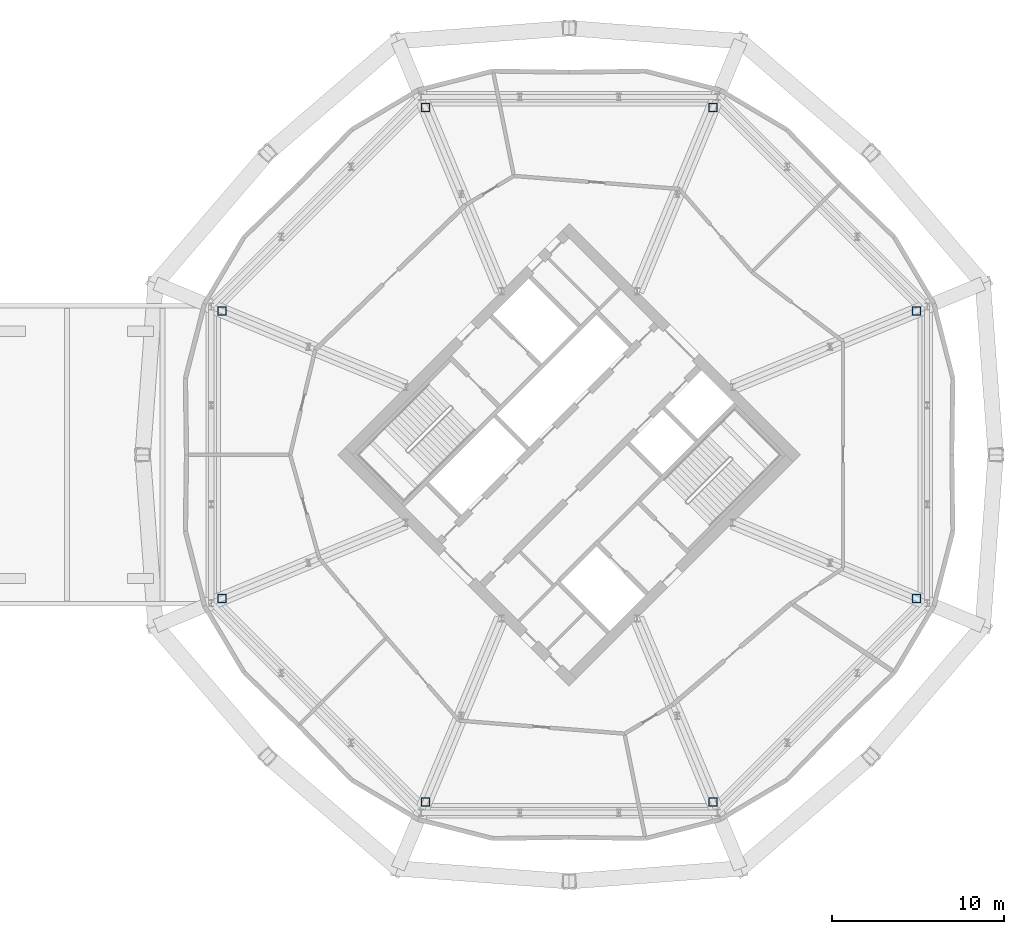
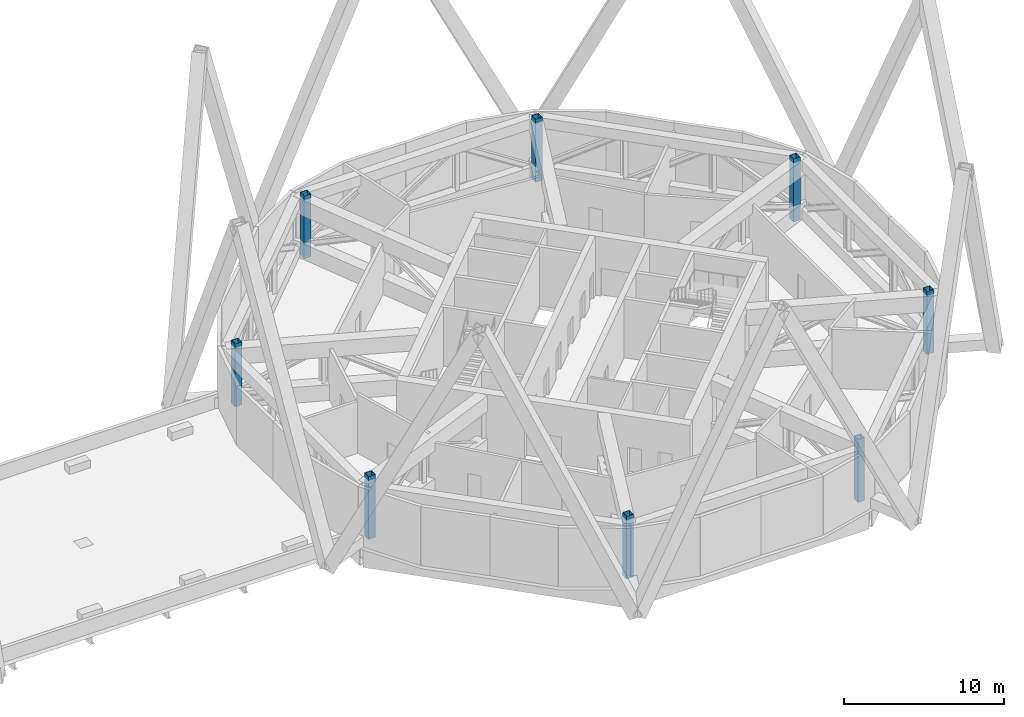
# One storey, part 2 of 20: 8 columns.
"""IFC4 building model written with IfcOpenShell, lengths in metres."""

import ifcopenshell
import ifcopenshell.guid

model = None  # the IFC model being written
_history = None  # IfcOwnerHistory: only IFC2X3 demands one
_inside = {}  # id of a spatial element -> (the spatial element, [elements in it])
_under = {}  # id of a project, library or spatial element -> (it, [spatial elements below it])
_declared = {}  # id of a project -> (the project, [libraries it declares])
_typed = {}  # id of a type object -> (the type object, [elements of that type])
_made_of = {}  # id of a material, layer set ... -> (it, [elements and type objects made of it])


def new_model(schema):
    """Start an empty IFC model of exactly this schema.

    Asked for "IFC4X3", IfcOpenShell would pick the latest addendum, in which some entities
    have other attributes; the version numbers below select the first issue.
    IFC2X3 requires an IfcOwnerHistory on every rooted entity: one is made here for all.
    """
    global model, _history
    if schema == "IFC4X3":
        model = ifcopenshell.file(schema_version=(4, 3, 0, 0))
    else:
        model = ifcopenshell.file(schema=schema)
    _inside.clear()
    _under.clear()
    _declared.clear()
    _typed.clear()
    _made_of.clear()
    _history = None
    if model.schema == "IFC2X3":
        org = make("IfcOrganization", Name="unknown")
        user = make(
            "IfcPersonAndOrganization",
            ThePerson=make("IfcPerson", FamilyName="unknown"),
            TheOrganization=org,
        )
        app = make(
            "IfcApplication",
            ApplicationDeveloper=org,
            Version="unknown",
            ApplicationFullName="unknown",
            ApplicationIdentifier="unknown",
        )
        _history = make(
            "IfcOwnerHistory",
            OwningUser=user,
            OwningApplication=app,
            ChangeAction="ADDED",
            CreationDate=0,
        )
    return model


def make(cls, **values):
    """One entity of the class cls with the attributes given. An attribute that is None is left unset."""
    return model.create_entity(
        cls, **{name: value for name, value in values.items() if value is not None}
    )


def rooted(cls, **values):
    """An entity with a GlobalId (a new one), such as an element, a storey or a relation."""
    return make(cls, GlobalId=ifcopenshell.guid.new(), OwnerHistory=_history, **values)


def si_unit(unit_type, name, prefix=None):
    """IfcSIUnit, for example si_unit("LENGTHUNIT", "METRE", prefix="MILLI")."""
    return make("IfcSIUnit", UnitType=unit_type, Prefix=prefix, Name=name)


def assignment(units):
    """IfcUnitAssignment: the units of a project."""
    return None if units is None else make("IfcUnitAssignment", Units=units)


def point(xyz):
    """IfcCartesianPoint."""
    return None if xyz is None else make("IfcCartesianPoint", Coordinates=xyz)


def direction(xyz):
    """IfcDirection."""
    return None if xyz is None else make("IfcDirection", DirectionRatios=xyz)


def frame(location, z_axis=None, x_axis=None):
    """IfcAxis2Placement3D, a coordinate frame: its origin and axes. An axis left out is left unset."""
    return make(
        "IfcAxis2Placement3D",
        Location=point(location),
        Axis=direction(z_axis),
        RefDirection=direction(x_axis),
    )


def frame_2d(location, x_axis=None):
    """IfcAxis2Placement2D, a coordinate frame in the plane: its origin and x axis."""
    return make(
        "IfcAxis2Placement2D", Location=point(location), RefDirection=direction(x_axis)
    )


def origin():
    """The frame at (0, 0, 0) with its axes left unset."""
    return frame((0.0, 0.0, 0.0))


def origin_2d():
    """The frame at (0, 0) in the plane with its x axis left unset."""
    return frame_2d((0.0, 0.0))


def place(relative_to, where):
    """IfcLocalPlacement: puts the frame where relative to a parent placement (None: the world)."""
    return make(
        "IfcLocalPlacement", PlacementRelTo=relative_to, RelativePlacement=where
    )


def context(
    kind, dimensions, precision=None, world=None, true_north=None, identifier=None
):
    """IfcGeometricRepresentationContext, for example the 3D "Model" context."""
    return make(
        "IfcGeometricRepresentationContext",
        ContextIdentifier=identifier,
        ContextType=kind,
        CoordinateSpaceDimension=dimensions,
        Precision=precision,
        WorldCoordinateSystem=world,
        TrueNorth=true_north,
    )


def subcontext(parent, identifier, kind, view, scale=None):
    """IfcGeometricRepresentationSubContext, for example "Body" below "Model"."""
    return make(
        "IfcGeometricRepresentationSubContext",
        ContextIdentifier=identifier,
        ContextType=kind,
        ParentContext=parent,
        TargetScale=scale,
        TargetView=view,
    )


def project(units=None, contexts=None):
    """IfcProject with its units and contexts."""
    return rooted(
        "IfcProject",
        Name="project",
        RepresentationContexts=contexts,
        UnitsInContext=assignment(units),
    )


def spatial(cls, under=None, at=None, **own):
    """A site, building, storey or space (cls), placed at a placement, below another one or the project."""
    s = rooted(cls, ObjectPlacement=at, **own)
    if under is not None:
        _under.setdefault(under.id(), (under, []))[1].append(s)
    return s


def profile(cls, at=None, kind="AREA", **sizes):
    """A parametric profile (cls). Its sizes go by their IFC names, for example OverallWidth=200.0."""
    return make(cls, ProfileType=kind, Position=at, **sizes)


def hollow_rectangle(**sizes):
    """IfcRectangleHollowProfileDef."""
    return profile("IfcRectangleHollowProfileDef", **sizes)


def extrude(swept, where, along, depth):
    """IfcExtrudedAreaSolid: the profile swept, set in the frame where, extruded along a direction by depth."""
    return make(
        "IfcExtrudedAreaSolid",
        SweptArea=swept,
        Position=where,
        ExtrudedDirection=direction(along),
        Depth=depth,
    )


def shape(context_of_items, identifier, shape_type, items):
    """IfcShapeRepresentation: the items that make up one representation, for example the "Body"."""
    return make(
        "IfcShapeRepresentation",
        ContextOfItems=context_of_items,
        RepresentationIdentifier=identifier,
        RepresentationType=shape_type,
        Items=items,
    )


def material(Name=None, Category=None):
    """IfcMaterial."""
    return make("IfcMaterial", Name=Name, Category=Category)


def material_profile(
    of_material, cross_section, Name=None, Category=None, Priority=None
):
    """IfcMaterialProfile: a cross section and its material."""
    return make(
        "IfcMaterialProfile",
        Name=Name,
        Material=of_material,
        Profile=cross_section,
        Priority=Priority,
        Category=Category,
    )


def profile_set(profiles, Name=None, composite=None):
    """IfcMaterialProfileSet."""
    return make(
        "IfcMaterialProfileSet",
        Name=Name,
        MaterialProfiles=profiles,
        CompositeProfile=composite,
    )


def made_of(thing, what):
    """Note that an element or type object is made of a material, layer set ...; save() writes the relation."""
    if what is not None:
        _made_of.setdefault(what.id(), (what, []))[1].append(thing)
    return thing


def type_object(cls, material=None, **own):
    """A type object (cls), such as IfcWallType, which elements share."""
    return made_of(rooted(cls, **own), material)


def element(
    cls,
    number,
    at=None,
    inside=None,
    cuts=None,
    type_object=None,
    material=None,
    context=None,
    identifier="Body",
    shape_type=None,
    held_by="IfcProductDefinitionShape",
    body=None,
    shapes=None,
    **own,
):
    """One element of the class cls, such as IfcWall. Its Tag is "e" and its number.

    at: its placement. inside: the storey or other place that contains it. cuts: it is an
    opening in that element (IfcRelVoidsElement). A single representation is given by context,
    identifier, shape_type and body (its items); several are given by shapes. held_by: the class
    of the entity that holds the representations. save() writes the other relations.
    """
    e = rooted(cls, Tag="e%d" % number, ObjectPlacement=at, **own)
    if body is not None:
        shapes = [shape(context, identifier, shape_type, body)]
    if shapes is not None:
        e.Representation = make(held_by, Representations=shapes)
    if inside is not None:
        _inside.setdefault(inside.id(), (inside, []))[1].append(e)
    if cuts is not None:
        rooted(
            "IfcRelVoidsElement", RelatingBuildingElement=cuts, RelatedOpeningElement=e
        )
    if type_object is not None:
        _typed.setdefault(type_object.id(), (type_object, []))[1].append(e)
    return made_of(e, material)


def aggregate(whole, parts):
    """IfcRelAggregates: a whole, such as a stair, and the parts it consists of."""
    return rooted("IfcRelAggregates", RelatingObject=whole, RelatedObjects=parts)


def save(model, path):
    """Write the relations noted so far, then the file.

    IfcRelAggregates (storeys below a building ...), IfcRelContainedInSpatialStructure (elements
    in a storey), IfcRelDefinesByType, IfcRelAssociatesMaterial and IfcRelDeclares: one each for
    every whole, place, type object, material and project.
    """
    for whole, parts in _under.values():
        aggregate(whole, parts)
    for where, things in _inside.values():
        rooted(
            "IfcRelContainedInSpatialStructure",
            RelatedElements=things,
            RelatingStructure=where,
        )
    for kind, things in _typed.values():
        rooted("IfcRelDefinesByType", RelatedObjects=things, RelatingType=kind)
    for what, things in _made_of.values():
        rooted("IfcRelAssociatesMaterial", RelatedObjects=things, RelatingMaterial=what)
    for by, libraries in _declared.values():
        rooted("IfcRelDeclares", RelatingContext=by, RelatedDefinitions=libraries)
    model.write(path)


model = new_model("IFC4")

# Units and contexts
model_context = context("Model", 3, precision=1e-05, world=origin(), true_north=direction((0.0, 1.0)))
body_context = subcontext(model_context, "Body", "Model", "MODEL_VIEW")
ifc_project = project(units=[si_unit("LENGTHUNIT", "METRE"), si_unit("AREAUNIT", "SQUARE_METRE"), si_unit("VOLUMEUNIT", "CUBIC_METRE"), si_unit("PLANEANGLEUNIT", "RADIAN"), si_unit("MASSUNIT", "GRAM", prefix="KILO")], contexts=[model_context])

# Site, building, storey
site_placement = place(None, origin())
site = spatial("IfcSite", under=ifc_project, at=site_placement, CompositionType="ELEMENT")
building_placement = place(site_placement, origin())
building = spatial("IfcBuilding", under=site, at=building_placement, Name="Ogive Gate Towers", CompositionType="ELEMENT")
storey_placement = place(building_placement, frame((0.0, 0.0, 160.800048828125)))
storey = spatial("IfcBuildingStorey", under=building, at=storey_placement, Name="L38", CompositionType="ELEMENT", Elevation=160.800048828125)

# Columns
ifc_material = material(Name="Steel SM460", Category="steel")
ifc_material_profile = material_profile(ifc_material, hollow_rectangle(XDim=0.5, YDim=0.5, WallThickness=0.030029296875, at=origin_2d()), Name="BX 500x500x30")
ifc_profile_set = profile_set([ifc_material_profile], Name="Steel SM460")
column_type = type_object("IfcColumnType", Name="Perimeter post BX 500x500x30", PredefinedType="COLUMN", material=ifc_profile_set)
for number, where, z_axis, x_axis, name in (
    (1, (56.14990234375, 8.346435546875, 0.0), (0.0, 0.0, 1.0), (1.0, 0.0, 0.0), "T2/L38/SCL001"),
    (2, (44.346435546875, 20.14990234375, 0.0), (0.0, 0.0, 1.0), (1.0, 0.0, 0.0), "T2/L38/SCL002"),
    (3, (27.653564453125, 20.14990234375, 0.0), (0.0, 0.0, 1.0), (1.0, 0.0, 0.0), "T2/L38/SCL003"),
    (4, (15.85009765625, 8.346435546875, 0.0), (0.0, 0.0, 1.0), (1.0, 0.0, 0.0), "T2/L38/SCL004"),
    (5, (15.85009765625, -8.346435546875, 0.0), (0.0, 0.0, 1.0), (1.0, 0.0, 0.0), "T2/L38/SCL005"),
    (6, (27.653564453125, -20.14990234375, 0.0), (0.0, 0.0, 1.0), (1.0, 0.0, 0.0), "T2/L38/SCL006"),
    (7, (44.346435546875, -20.14990234375, 0.0), (0.0, 0.0, 1.0), (1.0, 0.0, 0.0), "T2/L38/SCL007"),
    (8, (56.14990234375, -8.346435546875, 0.0), (0.0, 0.0, 1.0), (1.0, 0.0, 0.0), "T2/L38/SCL008"),
):
    element("IfcColumn", number, at=place(storey_placement, frame(where, z_axis=z_axis, x_axis=x_axis)), inside=storey, type_object=column_type, Name=name, PredefinedType="COLUMN", context=body_context, shape_type="SweptSolid", body=[
        extrude(hollow_rectangle(XDim=0.5, YDim=0.5, WallThickness=0.030029296875, at=origin_2d()), origin(), (0.0, 0.0, 1.0), 4.800048828125),
    ])

save(model, "model.ifc")
